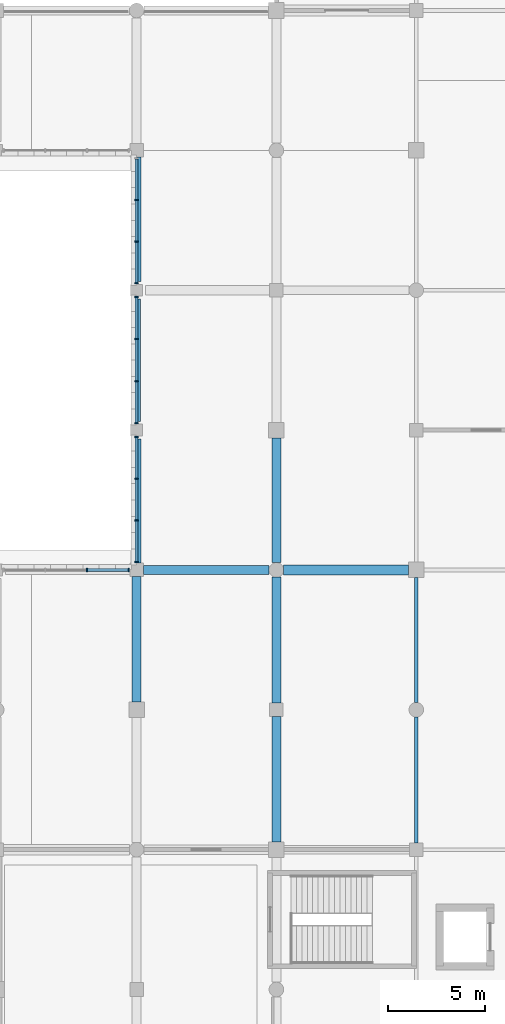
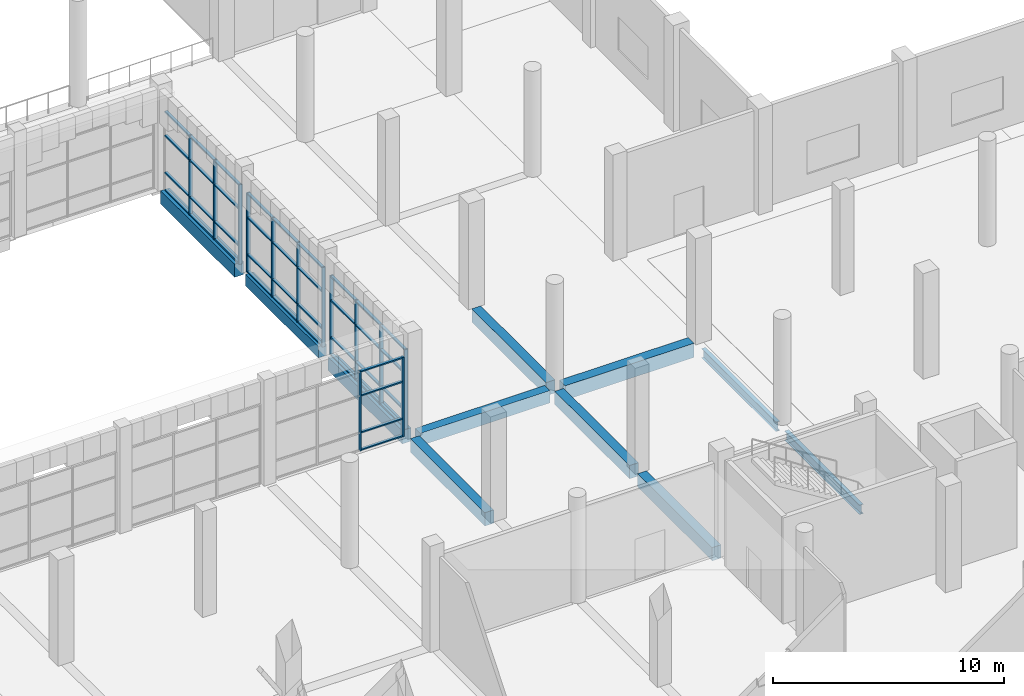
# One storey, part 19 of 80: 53 members, 11 beams, 4 elements without a shape of their own.
"""IFC4 building model written with IfcOpenShell, lengths in metres."""

from ifc_helpers import new_model, si_unit, direction, frame, origin, origin_2d, place, context, subcontext, project, spatial, rectangle, i_section, extrude, material, material_profile, profile_set, type_object, element, aggregate, save


model = new_model("IFC4")

# Units and contexts
model_context = context("Model", 3, precision=1e-05, world=origin(), true_north=direction((0.0, 1.0)))
body_context = subcontext(model_context, "Body", "Model", "MODEL_VIEW")
ifc_project = project(units=[si_unit("LENGTHUNIT", "METRE"), si_unit("AREAUNIT", "SQUARE_METRE"), si_unit("VOLUMEUNIT", "CUBIC_METRE"), si_unit("PLANEANGLEUNIT", "RADIAN"), si_unit("MASSUNIT", "GRAM", prefix="KILO")], contexts=[model_context])

# Site, building, storey
site_placement = place(None, origin())
site = spatial("IfcSite", under=ifc_project, at=site_placement, CompositionType="ELEMENT")
building_placement = place(site_placement, origin())
building = spatial("IfcBuilding", under=site, at=building_placement, Name="Sardonyx Promenade Sports Hall", CompositionType="ELEMENT")
storey_placement = place(building_placement, frame((0.0, 0.0, 5.60009765625)))
storey = spatial("IfcBuildingStorey", under=building, at=storey_placement, Name="L01", CompositionType="ELEMENT", Elevation=5.60009765625)

# Beams
ifc_material_1 = material(Name="Concrete C40/50", Category="concrete")
ifc_material_profile_1 = material_profile(ifc_material_1, rectangle(XDim=0.5, YDim=0.75, at=origin_2d()))
ifc_profile_set_1 = profile_set([ifc_material_profile_1], Name="Concrete C40/50")
beam_type_1 = type_object("IfcBeamType", Name="Bm_Girder_RC750", PredefinedType="BEAM", material=ifc_profile_set_1)
beam_1_placement = place(storey_placement, frame((101.175048828125, 43.199951171875, -0.375), z_axis=(1.0, 0.0, 0.0), x_axis=(0.0, 1.0, 0.0)))
element("IfcBeam", 1, at=beam_1_placement, inside=storey, type_object=beam_type_1, Name="Beam BG02 L01 #242", PredefinedType="BEAM", context=body_context, shape_type="SweptSolid", body=[
    extrude(rectangle(XDim=0.5, YDim=0.75, at=origin_2d()), origin(), (0.0, 0.0, 1.0), 6.425048828125),
])
ifc_material_2 = material(Name="Steel S355JR", Category="steel")
ifc_material_profile_2 = material_profile(ifc_material_2, i_section(OverallWidth=0.199951171875, OverallDepth=0.5, WebThickness=0.01025390625, FlangeThickness=0.01611328125, at=origin_2d()))
ifc_profile_set_2 = profile_set([ifc_material_profile_2], Name="Steel S355JR")
beam_type_2 = type_object("IfcBeamType", Name="Bm_Primary_IPE500", PredefinedType="BEAM", material=ifc_profile_set_2)
beam_2_placement = place(storey_placement, frame((108.0, 29.14990234375, -0.5400390625), z_axis=(0.0, 1.0, 0.0), x_axis=(-1.0, 0.0, 0.0)))
element("IfcBeam", 2, at=beam_2_placement, inside=storey, type_object=beam_type_2, Name="Beam SB06 L01 #382", PredefinedType="BEAM", context=body_context, shape_type="SweptSolid", body=[
    extrude(i_section(OverallWidth=0.199951171875, OverallDepth=0.5, WebThickness=0.01025390625, FlangeThickness=0.01611328125, at=origin_2d()), origin(), (0.0, 0.0, 1.0), 6.47509765625),
])
beam_3_placement = place(storey_placement, frame((108.0, 36.375, -0.5400390625), z_axis=(0.0, 1.0, 0.0), x_axis=(-1.0, 0.0, 0.0)))
element("IfcBeam", 3, at=beam_3_placement, inside=storey, type_object=beam_type_2, Name="Beam SB06 L01 #383", PredefinedType="BEAM", context=body_context, shape_type="SweptSolid", body=[
    extrude(i_section(OverallWidth=0.199951171875, OverallDepth=0.5, WebThickness=0.01025390625, FlangeThickness=0.01611328125, at=origin_2d()), origin(), (0.0, 0.0, 1.0), 6.425048828125),
])
ifc_material_3 = material(Name="Concrete C40/50", Category="concrete")
ifc_material_profile_3 = material_profile(ifc_material_3, rectangle(XDim=0.449951171875, YDim=0.64990234375, at=origin_2d()))
ifc_profile_set_3 = profile_set([ifc_material_profile_3], Name="Concrete C40/50")
beam_type_3 = type_object("IfcBeamType", Name="Bm_Primary_RC650", PredefinedType="BEAM", material=ifc_profile_set_3)
beam_4_placement = place(storey_placement, frame((93.949951171875, 43.199951171875, -0.3251953125), z_axis=(1.0, 0.0, 0.0), x_axis=(0.0, 1.0, 0.0)))
element("IfcBeam", 4, at=beam_4_placement, inside=storey, type_object=beam_type_3, Name="Beam BG05 L01 #241", PredefinedType="BEAM", context=body_context, shape_type="SweptSolid", body=[
    extrude(rectangle(XDim=0.449951171875, YDim=0.64990234375, at=origin_2d()), origin(), (0.0, 0.0, 1.0), 6.47509765625),
])
ifc_material_4 = material(Name="Concrete C40/50", Category="concrete")
ifc_material_profile_4 = material_profile(ifc_material_4, rectangle(XDim=0.449951171875, YDim=0.699951171875, at=origin_2d()))
ifc_profile_set_4 = profile_set([ifc_material_profile_4], Name="Concrete C40/50")
beam_type_4 = type_object("IfcBeamType", Name="Bm_Primary_RC700", PredefinedType="BEAM", material=ifc_profile_set_4)
beam_5_placement = place(storey_placement, frame((93.60009765625, 36.39990234375, -0.35009765625), z_axis=(0.0, 1.0, 0.0), x_axis=(-1.0, 0.0, 0.0)))
element("IfcBeam", 5, at=beam_5_placement, inside=storey, type_object=beam_type_4, Name="Beam BG01 L01 #363", PredefinedType="BEAM", context=body_context, shape_type="SweptSolid", body=[
    extrude(rectangle(XDim=0.449951171875, YDim=0.699951171875, at=origin_2d()), origin(), (0.0, 0.0, 1.0), 6.4501953125),
])
for number, where, z_axis, x_axis, name in (
    (6, (93.60009765625, 43.550048828125, -0.35009765625), (0.0, 1.0, 0.0), (-1.0, 0.0, 0.0), "Beam BG01 L01 #364"),
    (7, (93.60009765625, 58.050048828125, -0.35009765625), (0.0, 1.0, 0.0), (-1.0, 0.0, 0.0), "Beam BG01 L01 #366"),
):
    element("IfcBeam", number, at=place(storey_placement, frame(where, z_axis=z_axis, x_axis=x_axis)), inside=storey, type_object=beam_type_4, Name=name, PredefinedType="BEAM", context=body_context, shape_type="SweptSolid", body=[
        extrude(rectangle(XDim=0.449951171875, YDim=0.699951171875, at=origin_2d()), origin(), (0.0, 0.0, 1.0), 6.39990234375),
    ])
beam_6_placement = place(storey_placement, frame((100.800048828125, 29.199951171875, -0.35009765625), z_axis=(0.0, 1.0, 0.0), x_axis=(-1.0, 0.0, 0.0)))
element("IfcBeam", 8, at=beam_6_placement, inside=storey, type_object=beam_type_4, Name="Beam BG01 L01 #372", PredefinedType="BEAM", context=body_context, shape_type="SweptSolid", body=[
    extrude(rectangle(XDim=0.449951171875, YDim=0.699951171875, at=origin_2d()), origin(), (0.0, 0.0, 1.0), 6.449951171875),
])
beam_7_placement = place(storey_placement, frame((100.800048828125, 36.35009765625, -0.35009765625), z_axis=(0.0, 1.0, 0.0), x_axis=(-1.0, 0.0, 0.0)))
element("IfcBeam", 9, at=beam_7_placement, inside=storey, type_object=beam_type_4, Name="Beam BG01 L01 #373", PredefinedType="BEAM", context=body_context, shape_type="SweptSolid", body=[
    extrude(rectangle(XDim=0.449951171875, YDim=0.699951171875, at=origin_2d()), origin(), (0.0, 0.0, 1.0), 6.474853515625),
])
beam_8_placement = place(storey_placement, frame((100.800048828125, 43.574951171875, -0.35009765625), z_axis=(0.0, 1.0, 0.0), x_axis=(-1.0, 0.0, 0.0)))
element("IfcBeam", 10, at=beam_8_placement, inside=storey, type_object=beam_type_4, Name="Beam BG01 L01 #374", PredefinedType="BEAM", context=body_context, shape_type="SweptSolid", body=[
    extrude(rectangle(XDim=0.449951171875, YDim=0.699951171875, at=origin_2d()), origin(), (0.0, 0.0, 1.0), 6.425048828125),
])
ifc_material_5 = material(Name="Concrete C40/50", Category="concrete")
ifc_material_profile_5 = material_profile(ifc_material_5, rectangle(XDim=0.39990234375, YDim=0.60009765625, at=origin_2d()))
ifc_profile_set_5 = profile_set([ifc_material_profile_5], Name="Concrete C40/50")
beam_type_5 = type_object("IfcBeamType", Name="Bm_Spandrel_RC600", PredefinedType="SPANDREL", material=ifc_profile_set_5)
beam_9_placement = place(storey_placement, frame((93.60009765625, 50.85009765625, -0.300048828125), z_axis=(0.0, 1.0, 0.0), x_axis=(-1.0, 0.0, 0.0)))
element("IfcBeam", 11, at=beam_9_placement, inside=storey, type_object=beam_type_5, Name="Beam SPB1 L01 #365", PredefinedType="SPANDREL", context=body_context, shape_type="SweptSolid", body=[
    extrude(rectangle(XDim=0.39990234375, YDim=0.60009765625, at=origin_2d()), origin(), (0.0, 0.0, 1.0), 6.2998046875),
])

# Curtain wall, members
ifc_material_6 = material(Name="Aluminium 6063-T6", Category="aluminium")
curtain_wall_type = type_object("IfcCurtainWallType", Name="CW_Riwaq_L01_640", PredefinedType="USERDEFINED", material=ifc_material_6)
curtain_wall_1_placement = place(storey_placement, origin())
curtain_wall_1 = element("IfcCurtainWall", 12, at=curtain_wall_1_placement, inside=storey, type_object=curtain_wall_type, Name="Curtain wall CW18 cw:L01:138", ObjectType="CURTAIN WALL", PredefinedType="USERDEFINED")
ifc_material_7 = material(Name="Aluminium 6063-T6", Category="aluminium")
ifc_material_profile_6 = material_profile(ifc_material_7, rectangle(XDim=0.06494140625, YDim=0.175048828125, at=origin_2d()))
ifc_profile_set_6 = profile_set([ifc_material_profile_6], Name="Aluminium 6063-T6")
member_type_1 = type_object("IfcMemberType", Name="CW_Mull_175", PredefinedType="MULLION", material=ifc_profile_set_6)
member_1_placement = place(storey_placement, frame((91.049072265625, 43.199951171875, 0.0), z_axis=(0.0, 0.0, 1.0), x_axis=(1.0, 0.0, 0.0)))
member_1 = element("IfcMember", 13, at=member_1_placement, type_object=member_type_1, Name="Mullion CM02 cw:L01:138 #3", PredefinedType="MULLION", context=body_context, shape_type="SweptSolid", body=[
    extrude(rectangle(XDim=0.06494140625, YDim=0.175048828125, at=origin_2d()), origin(), (0.0, 0.0, 1.0), 4.199951171875),
])
member_2_placement = place(storey_placement, frame((93.197509765625, 43.199951171875, 0.0), z_axis=(0.0, 0.0, 1.0), x_axis=(1.0, 0.0, 0.0)))
member_2 = element("IfcMember", 14, at=member_2_placement, type_object=member_type_1, Name="Mullion CM02 cw:L01:138 #4", PredefinedType="MULLION", context=body_context, shape_type="SweptSolid", body=[
    extrude(rectangle(XDim=0.06494140625, YDim=0.175048828125, at=origin_2d()), origin(), (0.0, 0.0, 1.0), 4.199951171875),
])

curtain_wall_2_placement = place(storey_placement, origin())
curtain_wall_2 = element("IfcCurtainWall", 15, at=curtain_wall_2_placement, inside=storey, type_object=curtain_wall_type, Name="Curtain wall CW18 cw:L01:141", ObjectType="CURTAIN WALL", PredefinedType="USERDEFINED")
member_3_placement = place(storey_placement, frame((93.60009765625, 43.6025390625, 0.0), z_axis=(0.0, 0.0, 1.0), x_axis=(0.0, 1.0, 0.0)))
member_3 = element("IfcMember", 16, at=member_3_placement, type_object=member_type_1, Name="Mullion CM02 cw:L01:141 #1", PredefinedType="MULLION", context=body_context, shape_type="SweptSolid", body=[
    extrude(rectangle(XDim=0.06494140625, YDim=0.175048828125, at=origin_2d()), origin(), (0.0, 0.0, 1.0), 4.199951171875),
])
member_4_placement = place(storey_placement, frame((93.60009765625, 45.750732421875, 0.0), z_axis=(0.0, 0.0, 1.0), x_axis=(0.0, 1.0, 0.0)))
member_4 = element("IfcMember", 17, at=member_4_placement, type_object=member_type_1, Name="Mullion CM02 cw:L01:141 #2", PredefinedType="MULLION", context=body_context, shape_type="SweptSolid", body=[
    extrude(rectangle(XDim=0.06494140625, YDim=0.175048828125, at=origin_2d()), origin(), (0.0, 0.0, 1.0), 4.199951171875),
])
member_5_placement = place(storey_placement, frame((93.60009765625, 47.899169921875, 0.0), z_axis=(0.0, 0.0, 1.0), x_axis=(0.0, 1.0, 0.0)))
member_5 = element("IfcMember", 18, at=member_5_placement, type_object=member_type_1, Name="Mullion CM02 cw:L01:141 #3", PredefinedType="MULLION", context=body_context, shape_type="SweptSolid", body=[
    extrude(rectangle(XDim=0.06494140625, YDim=0.175048828125, at=origin_2d()), origin(), (0.0, 0.0, 1.0), 4.199951171875),
])
member_6_placement = place(storey_placement, frame((93.60009765625, 50.047607421875, 0.0), z_axis=(0.0, 0.0, 1.0), x_axis=(0.0, 1.0, 0.0)))
member_6 = element("IfcMember", 19, at=member_6_placement, type_object=member_type_1, Name="Mullion CM02 cw:L01:141 #4", PredefinedType="MULLION", context=body_context, shape_type="SweptSolid", body=[
    extrude(rectangle(XDim=0.06494140625, YDim=0.175048828125, at=origin_2d()), origin(), (0.0, 0.0, 1.0), 4.199951171875),
])

curtain_wall_3_placement = place(storey_placement, origin())
curtain_wall_3 = element("IfcCurtainWall", 20, at=curtain_wall_3_placement, inside=storey, type_object=curtain_wall_type, Name="Curtain wall CW18 cw:L01:143", ObjectType="CURTAIN WALL", PredefinedType="USERDEFINED")
member_7_placement = place(storey_placement, frame((93.60009765625, 50.75244140625, 0.0), z_axis=(0.0, 0.0, 1.0), x_axis=(0.0, 1.0, 0.0)))
member_7 = element("IfcMember", 21, at=member_7_placement, type_object=member_type_1, Name="Mullion CM02 cw:L01:143 #1", PredefinedType="MULLION", context=body_context, shape_type="SweptSolid", body=[
    extrude(rectangle(XDim=0.06494140625, YDim=0.175048828125, at=origin_2d()), origin(), (0.0, 0.0, 1.0), 4.199951171875),
])
member_8_placement = place(storey_placement, frame((93.60009765625, 52.91748046875, 0.0), z_axis=(0.0, 0.0, 1.0), x_axis=(0.0, 1.0, 0.0)))
member_8 = element("IfcMember", 22, at=member_8_placement, type_object=member_type_1, Name="Mullion CM02 cw:L01:143 #2", PredefinedType="MULLION", context=body_context, shape_type="SweptSolid", body=[
    extrude(rectangle(XDim=0.06494140625, YDim=0.175048828125, at=origin_2d()), origin(), (0.0, 0.0, 1.0), 4.199951171875),
])
member_9_placement = place(storey_placement, frame((93.60009765625, 55.08251953125, 0.0), z_axis=(0.0, 0.0, 1.0), x_axis=(0.0, 1.0, 0.0)))
member_9 = element("IfcMember", 23, at=member_9_placement, type_object=member_type_1, Name="Mullion CM02 cw:L01:143 #3", PredefinedType="MULLION", context=body_context, shape_type="SweptSolid", body=[
    extrude(rectangle(XDim=0.06494140625, YDim=0.175048828125, at=origin_2d()), origin(), (0.0, 0.0, 1.0), 4.199951171875),
])
member_10_placement = place(storey_placement, frame((93.60009765625, 57.24755859375, 0.0), z_axis=(0.0, 0.0, 1.0), x_axis=(0.0, 1.0, 0.0)))
member_10 = element("IfcMember", 24, at=member_10_placement, type_object=member_type_1, Name="Mullion CM02 cw:L01:143 #4", PredefinedType="MULLION", context=body_context, shape_type="SweptSolid", body=[
    extrude(rectangle(XDim=0.06494140625, YDim=0.175048828125, at=origin_2d()), origin(), (0.0, 0.0, 1.0), 4.199951171875),
])

curtain_wall_4_placement = place(storey_placement, origin())
curtain_wall_4 = element("IfcCurtainWall", 25, at=curtain_wall_4_placement, inside=storey, type_object=curtain_wall_type, Name="Curtain wall CW18 cw:L01:145", ObjectType="CURTAIN WALL", PredefinedType="USERDEFINED")
member_11_placement = place(storey_placement, frame((93.60009765625, 57.952392578125, 0.0), z_axis=(0.0, 0.0, 1.0), x_axis=(0.0, 1.0, 0.0)))
member_11 = element("IfcMember", 26, at=member_11_placement, type_object=member_type_1, Name="Mullion CM02 cw:L01:145 #1", PredefinedType="MULLION", context=body_context, shape_type="SweptSolid", body=[
    extrude(rectangle(XDim=0.06494140625, YDim=0.175048828125, at=origin_2d()), origin(), (0.0, 0.0, 1.0), 4.199951171875),
])
member_12_placement = place(storey_placement, frame((93.60009765625, 60.100830078125, 0.0), z_axis=(0.0, 0.0, 1.0), x_axis=(0.0, 1.0, 0.0)))
member_12 = element("IfcMember", 27, at=member_12_placement, type_object=member_type_1, Name="Mullion CM02 cw:L01:145 #2", PredefinedType="MULLION", context=body_context, shape_type="SweptSolid", body=[
    extrude(rectangle(XDim=0.06494140625, YDim=0.175048828125, at=origin_2d()), origin(), (0.0, 0.0, 1.0), 4.199951171875),
])
member_13_placement = place(storey_placement, frame((93.60009765625, 62.249267578125, 0.0), z_axis=(0.0, 0.0, 1.0), x_axis=(0.0, 1.0, 0.0)))
member_13 = element("IfcMember", 28, at=member_13_placement, type_object=member_type_1, Name="Mullion CM02 cw:L01:145 #3", PredefinedType="MULLION", context=body_context, shape_type="SweptSolid", body=[
    extrude(rectangle(XDim=0.06494140625, YDim=0.175048828125, at=origin_2d()), origin(), (0.0, 0.0, 1.0), 4.199951171875),
])

# Member
ifc_material_8 = material(Name="Aluminium 6063-T6", Category="aluminium")
ifc_material_profile_7 = material_profile(ifc_material_8, rectangle(XDim=0.06494140625, YDim=0.139892578125, at=origin_2d()))
ifc_profile_set_7 = profile_set([ifc_material_profile_7], Name="Aluminium 6063-T6")
member_type_2 = type_object("IfcMemberType", Name="CW_Tran_140", PredefinedType="USERDEFINED", material=ifc_profile_set_7)
member_14_placement = place(storey_placement, frame((91.081787109375, 43.199951171875, 0.032470703125), z_axis=(1.0, 0.0, 0.0), x_axis=(0.0, 0.0, 1.0)))
member_14 = element("IfcMember", 29, at=member_14_placement, type_object=member_type_2, Name="Transom CT02 cw:L01:138 #9", ObjectType="TRANSOM", PredefinedType="USERDEFINED", context=body_context, shape_type="SweptSolid", body=[
    extrude(rectangle(XDim=0.06494140625, YDim=0.139892578125, at=origin_2d()), origin(), (0.0, 0.0, 1.0), 2.083251953125),
])

member_15_placement = place(storey_placement, frame((91.081787109375, 43.199951171875, 0.949951171875), z_axis=(1.0, 0.0, 0.0), x_axis=(0.0, 0.0, 1.0)))
member_15 = element("IfcMember", 30, at=member_15_placement, type_object=member_type_2, Name="Transom CT02 cw:L01:138 #10", ObjectType="TRANSOM", PredefinedType="USERDEFINED", context=body_context, shape_type="SweptSolid", body=[
    extrude(rectangle(XDim=0.06494140625, YDim=0.139892578125, at=origin_2d()), origin(), (0.0, 0.0, 1.0), 2.083251953125),
])

member_16_placement = place(storey_placement, frame((91.081787109375, 43.199951171875, 2.89990234375), z_axis=(1.0, 0.0, 0.0), x_axis=(0.0, 0.0, 1.0)))
member_16 = element("IfcMember", 31, at=member_16_placement, type_object=member_type_2, Name="Transom CT02 cw:L01:138 #11", ObjectType="TRANSOM", PredefinedType="USERDEFINED", context=body_context, shape_type="SweptSolid", body=[
    extrude(rectangle(XDim=0.06494140625, YDim=0.139892578125, at=origin_2d()), origin(), (0.0, 0.0, 1.0), 2.083251953125),
])

member_17_placement = place(storey_placement, frame((91.081787109375, 43.199951171875, 4.16748046875), z_axis=(1.0, 0.0, 0.0), x_axis=(0.0, 0.0, 1.0)))
member_17 = element("IfcMember", 32, at=member_17_placement, type_object=member_type_2, Name="Transom CT02 cw:L01:138 #12", ObjectType="TRANSOM", PredefinedType="USERDEFINED", context=body_context, shape_type="SweptSolid", body=[
    extrude(rectangle(XDim=0.06494140625, YDim=0.139892578125, at=origin_2d()), origin(), (0.0, 0.0, 1.0), 2.083251953125),
])

aggregate(curtain_wall_1, [member_1, member_2, member_14, member_15, member_16, member_17])

member_18_placement = place(storey_placement, frame((93.60009765625, 43.635009765625, 0.032470703125), z_axis=(0.0, 1.0, 0.0), x_axis=(0.0, 0.0, 1.0)))
member_18 = element("IfcMember", 33, at=member_18_placement, type_object=member_type_2, Name="Transom CT02 cw:L01:141 #1", ObjectType="TRANSOM", PredefinedType="USERDEFINED", context=body_context, shape_type="SweptSolid", body=[
    extrude(rectangle(XDim=0.06494140625, YDim=0.139892578125, at=origin_2d()), origin(), (0.0, 0.0, 1.0), 2.083251953125),
])

member_19_placement = place(storey_placement, frame((93.60009765625, 43.635009765625, 0.949951171875), z_axis=(0.0, 1.0, 0.0), x_axis=(0.0, 0.0, 1.0)))
member_19 = element("IfcMember", 34, at=member_19_placement, type_object=member_type_2, Name="Transom CT02 cw:L01:141 #2", ObjectType="TRANSOM", PredefinedType="USERDEFINED", context=body_context, shape_type="SweptSolid", body=[
    extrude(rectangle(XDim=0.06494140625, YDim=0.139892578125, at=origin_2d()), origin(), (0.0, 0.0, 1.0), 2.083251953125),
])

member_20_placement = place(storey_placement, frame((93.60009765625, 43.635009765625, 2.89990234375), z_axis=(0.0, 1.0, 0.0), x_axis=(0.0, 0.0, 1.0)))
member_20 = element("IfcMember", 35, at=member_20_placement, type_object=member_type_2, Name="Transom CT02 cw:L01:141 #3", ObjectType="TRANSOM", PredefinedType="USERDEFINED", context=body_context, shape_type="SweptSolid", body=[
    extrude(rectangle(XDim=0.06494140625, YDim=0.139892578125, at=origin_2d()), origin(), (0.0, 0.0, 1.0), 2.083251953125),
])

member_21_placement = place(storey_placement, frame((93.60009765625, 43.635009765625, 4.16748046875), z_axis=(0.0, 1.0, 0.0), x_axis=(0.0, 0.0, 1.0)))
member_21 = element("IfcMember", 36, at=member_21_placement, type_object=member_type_2, Name="Transom CT02 cw:L01:141 #4", ObjectType="TRANSOM", PredefinedType="USERDEFINED", context=body_context, shape_type="SweptSolid", body=[
    extrude(rectangle(XDim=0.06494140625, YDim=0.139892578125, at=origin_2d()), origin(), (0.0, 0.0, 1.0), 2.083251953125),
])

member_22_placement = place(storey_placement, frame((93.60009765625, 45.783447265625, 0.032470703125), z_axis=(0.0, 1.0, 0.0), x_axis=(0.0, 0.0, 1.0)))
member_22 = element("IfcMember", 37, at=member_22_placement, type_object=member_type_2, Name="Transom CT02 cw:L01:141 #5", ObjectType="TRANSOM", PredefinedType="USERDEFINED", context=body_context, shape_type="SweptSolid", body=[
    extrude(rectangle(XDim=0.06494140625, YDim=0.139892578125, at=origin_2d()), origin(), (0.0, 0.0, 1.0), 2.083251953125),
])

member_23_placement = place(storey_placement, frame((93.60009765625, 45.783447265625, 0.949951171875), z_axis=(0.0, 1.0, 0.0), x_axis=(0.0, 0.0, 1.0)))
member_23 = element("IfcMember", 38, at=member_23_placement, type_object=member_type_2, Name="Transom CT02 cw:L01:141 #6", ObjectType="TRANSOM", PredefinedType="USERDEFINED", context=body_context, shape_type="SweptSolid", body=[
    extrude(rectangle(XDim=0.06494140625, YDim=0.139892578125, at=origin_2d()), origin(), (0.0, 0.0, 1.0), 2.083251953125),
])

member_24_placement = place(storey_placement, frame((93.60009765625, 45.783447265625, 2.89990234375), z_axis=(0.0, 1.0, 0.0), x_axis=(0.0, 0.0, 1.0)))
member_24 = element("IfcMember", 39, at=member_24_placement, type_object=member_type_2, Name="Transom CT02 cw:L01:141 #7", ObjectType="TRANSOM", PredefinedType="USERDEFINED", context=body_context, shape_type="SweptSolid", body=[
    extrude(rectangle(XDim=0.06494140625, YDim=0.139892578125, at=origin_2d()), origin(), (0.0, 0.0, 1.0), 2.083251953125),
])

member_25_placement = place(storey_placement, frame((93.60009765625, 45.783447265625, 4.16748046875), z_axis=(0.0, 1.0, 0.0), x_axis=(0.0, 0.0, 1.0)))
member_25 = element("IfcMember", 40, at=member_25_placement, type_object=member_type_2, Name="Transom CT02 cw:L01:141 #8", ObjectType="TRANSOM", PredefinedType="USERDEFINED", context=body_context, shape_type="SweptSolid", body=[
    extrude(rectangle(XDim=0.06494140625, YDim=0.139892578125, at=origin_2d()), origin(), (0.0, 0.0, 1.0), 2.083251953125),
])

member_26_placement = place(storey_placement, frame((93.60009765625, 47.931640625, 0.032470703125), z_axis=(0.0, 1.0, 0.0), x_axis=(0.0, 0.0, 1.0)))
member_26 = element("IfcMember", 41, at=member_26_placement, type_object=member_type_2, Name="Transom CT02 cw:L01:141 #9", ObjectType="TRANSOM", PredefinedType="USERDEFINED", context=body_context, shape_type="SweptSolid", body=[
    extrude(rectangle(XDim=0.06494140625, YDim=0.139892578125, at=origin_2d()), origin(), (0.0, 0.0, 1.0), 2.083251953125),
])

member_27_placement = place(storey_placement, frame((93.60009765625, 47.931640625, 0.949951171875), z_axis=(0.0, 1.0, 0.0), x_axis=(0.0, 0.0, 1.0)))
member_27 = element("IfcMember", 42, at=member_27_placement, type_object=member_type_2, Name="Transom CT02 cw:L01:141 #10", ObjectType="TRANSOM", PredefinedType="USERDEFINED", context=body_context, shape_type="SweptSolid", body=[
    extrude(rectangle(XDim=0.06494140625, YDim=0.139892578125, at=origin_2d()), origin(), (0.0, 0.0, 1.0), 2.083251953125),
])

member_28_placement = place(storey_placement, frame((93.60009765625, 47.931640625, 2.89990234375), z_axis=(0.0, 1.0, 0.0), x_axis=(0.0, 0.0, 1.0)))
member_28 = element("IfcMember", 43, at=member_28_placement, type_object=member_type_2, Name="Transom CT02 cw:L01:141 #11", ObjectType="TRANSOM", PredefinedType="USERDEFINED", context=body_context, shape_type="SweptSolid", body=[
    extrude(rectangle(XDim=0.06494140625, YDim=0.139892578125, at=origin_2d()), origin(), (0.0, 0.0, 1.0), 2.083251953125),
])

member_29_placement = place(storey_placement, frame((93.60009765625, 47.931640625, 4.16748046875), z_axis=(0.0, 1.0, 0.0), x_axis=(0.0, 0.0, 1.0)))
member_29 = element("IfcMember", 44, at=member_29_placement, type_object=member_type_2, Name="Transom CT02 cw:L01:141 #12", ObjectType="TRANSOM", PredefinedType="USERDEFINED", context=body_context, shape_type="SweptSolid", body=[
    extrude(rectangle(XDim=0.06494140625, YDim=0.139892578125, at=origin_2d()), origin(), (0.0, 0.0, 1.0), 2.083251953125),
])

aggregate(curtain_wall_2, [member_3, member_4, member_5, member_6, member_18, member_19, member_20, member_21, member_22, member_23, member_24, member_25, member_26, member_27, member_28, member_29])

member_30_placement = place(storey_placement, frame((93.60009765625, 50.784912109375, 0.032470703125), z_axis=(0.0, 1.0, 0.0), x_axis=(0.0, 0.0, 1.0)))
member_30 = element("IfcMember", 45, at=member_30_placement, type_object=member_type_2, Name="Transom CT02 cw:L01:143 #1", ObjectType="TRANSOM", PredefinedType="USERDEFINED", context=body_context, shape_type="SweptSolid", body=[
    extrude(rectangle(XDim=0.06494140625, YDim=0.139892578125, at=origin_2d()), origin(), (0.0, 0.0, 1.0), 2.10009765625),
])

member_31_placement = place(storey_placement, frame((93.60009765625, 50.784912109375, 0.949951171875), z_axis=(0.0, 1.0, 0.0), x_axis=(0.0, 0.0, 1.0)))
member_31 = element("IfcMember", 46, at=member_31_placement, type_object=member_type_2, Name="Transom CT02 cw:L01:143 #2", ObjectType="TRANSOM", PredefinedType="USERDEFINED", context=body_context, shape_type="SweptSolid", body=[
    extrude(rectangle(XDim=0.06494140625, YDim=0.139892578125, at=origin_2d()), origin(), (0.0, 0.0, 1.0), 2.10009765625),
])

member_32_placement = place(storey_placement, frame((93.60009765625, 50.784912109375, 2.89990234375), z_axis=(0.0, 1.0, 0.0), x_axis=(0.0, 0.0, 1.0)))
member_32 = element("IfcMember", 47, at=member_32_placement, type_object=member_type_2, Name="Transom CT02 cw:L01:143 #3", ObjectType="TRANSOM", PredefinedType="USERDEFINED", context=body_context, shape_type="SweptSolid", body=[
    extrude(rectangle(XDim=0.06494140625, YDim=0.139892578125, at=origin_2d()), origin(), (0.0, 0.0, 1.0), 2.10009765625),
])

member_33_placement = place(storey_placement, frame((93.60009765625, 50.784912109375, 4.16748046875), z_axis=(0.0, 1.0, 0.0), x_axis=(0.0, 0.0, 1.0)))
member_33 = element("IfcMember", 48, at=member_33_placement, type_object=member_type_2, Name="Transom CT02 cw:L01:143 #4", ObjectType="TRANSOM", PredefinedType="USERDEFINED", context=body_context, shape_type="SweptSolid", body=[
    extrude(rectangle(XDim=0.06494140625, YDim=0.139892578125, at=origin_2d()), origin(), (0.0, 0.0, 1.0), 2.10009765625),
])

member_34_placement = place(storey_placement, frame((93.60009765625, 52.949951171875, 0.032470703125), z_axis=(0.0, 1.0, 0.0), x_axis=(0.0, 0.0, 1.0)))
member_34 = element("IfcMember", 49, at=member_34_placement, type_object=member_type_2, Name="Transom CT02 cw:L01:143 #5", ObjectType="TRANSOM", PredefinedType="USERDEFINED", context=body_context, shape_type="SweptSolid", body=[
    extrude(rectangle(XDim=0.06494140625, YDim=0.139892578125, at=origin_2d()), origin(), (0.0, 0.0, 1.0), 2.10009765625),
])

member_35_placement = place(storey_placement, frame((93.60009765625, 52.949951171875, 0.949951171875), z_axis=(0.0, 1.0, 0.0), x_axis=(0.0, 0.0, 1.0)))
member_35 = element("IfcMember", 50, at=member_35_placement, type_object=member_type_2, Name="Transom CT02 cw:L01:143 #6", ObjectType="TRANSOM", PredefinedType="USERDEFINED", context=body_context, shape_type="SweptSolid", body=[
    extrude(rectangle(XDim=0.06494140625, YDim=0.139892578125, at=origin_2d()), origin(), (0.0, 0.0, 1.0), 2.10009765625),
])

member_36_placement = place(storey_placement, frame((93.60009765625, 52.949951171875, 2.89990234375), z_axis=(0.0, 1.0, 0.0), x_axis=(0.0, 0.0, 1.0)))
member_36 = element("IfcMember", 51, at=member_36_placement, type_object=member_type_2, Name="Transom CT02 cw:L01:143 #7", ObjectType="TRANSOM", PredefinedType="USERDEFINED", context=body_context, shape_type="SweptSolid", body=[
    extrude(rectangle(XDim=0.06494140625, YDim=0.139892578125, at=origin_2d()), origin(), (0.0, 0.0, 1.0), 2.10009765625),
])

member_37_placement = place(storey_placement, frame((93.60009765625, 52.949951171875, 4.16748046875), z_axis=(0.0, 1.0, 0.0), x_axis=(0.0, 0.0, 1.0)))
member_37 = element("IfcMember", 52, at=member_37_placement, type_object=member_type_2, Name="Transom CT02 cw:L01:143 #8", ObjectType="TRANSOM", PredefinedType="USERDEFINED", context=body_context, shape_type="SweptSolid", body=[
    extrude(rectangle(XDim=0.06494140625, YDim=0.139892578125, at=origin_2d()), origin(), (0.0, 0.0, 1.0), 2.10009765625),
])

member_38_placement = place(storey_placement, frame((93.60009765625, 55.114990234375, 0.032470703125), z_axis=(0.0, 1.0, 0.0), x_axis=(0.0, 0.0, 1.0)))
member_38 = element("IfcMember", 53, at=member_38_placement, type_object=member_type_2, Name="Transom CT02 cw:L01:143 #9", ObjectType="TRANSOM", PredefinedType="USERDEFINED", context=body_context, shape_type="SweptSolid", body=[
    extrude(rectangle(XDim=0.06494140625, YDim=0.139892578125, at=origin_2d()), origin(), (0.0, 0.0, 1.0), 2.10009765625),
])

member_39_placement = place(storey_placement, frame((93.60009765625, 55.114990234375, 0.949951171875), z_axis=(0.0, 1.0, 0.0), x_axis=(0.0, 0.0, 1.0)))
member_39 = element("IfcMember", 54, at=member_39_placement, type_object=member_type_2, Name="Transom CT02 cw:L01:143 #10", ObjectType="TRANSOM", PredefinedType="USERDEFINED", context=body_context, shape_type="SweptSolid", body=[
    extrude(rectangle(XDim=0.06494140625, YDim=0.139892578125, at=origin_2d()), origin(), (0.0, 0.0, 1.0), 2.10009765625),
])

member_40_placement = place(storey_placement, frame((93.60009765625, 55.114990234375, 2.89990234375), z_axis=(0.0, 1.0, 0.0), x_axis=(0.0, 0.0, 1.0)))
member_40 = element("IfcMember", 55, at=member_40_placement, type_object=member_type_2, Name="Transom CT02 cw:L01:143 #11", ObjectType="TRANSOM", PredefinedType="USERDEFINED", context=body_context, shape_type="SweptSolid", body=[
    extrude(rectangle(XDim=0.06494140625, YDim=0.139892578125, at=origin_2d()), origin(), (0.0, 0.0, 1.0), 2.10009765625),
])

member_41_placement = place(storey_placement, frame((93.60009765625, 55.114990234375, 4.16748046875), z_axis=(0.0, 1.0, 0.0), x_axis=(0.0, 0.0, 1.0)))
member_41 = element("IfcMember", 56, at=member_41_placement, type_object=member_type_2, Name="Transom CT02 cw:L01:143 #12", ObjectType="TRANSOM", PredefinedType="USERDEFINED", context=body_context, shape_type="SweptSolid", body=[
    extrude(rectangle(XDim=0.06494140625, YDim=0.139892578125, at=origin_2d()), origin(), (0.0, 0.0, 1.0), 2.10009765625),
])

aggregate(curtain_wall_3, [member_7, member_8, member_9, member_10, member_30, member_31, member_32, member_33, member_34, member_35, member_36, member_37, member_38, member_39, member_40, member_41])

member_42_placement = place(storey_placement, frame((93.60009765625, 57.985107421875, 0.032470703125), z_axis=(0.0, 1.0, 0.0), x_axis=(0.0, 0.0, 1.0)))
member_42 = element("IfcMember", 57, at=member_42_placement, type_object=member_type_2, Name="Transom CT02 cw:L01:145 #1", ObjectType="TRANSOM", PredefinedType="USERDEFINED", context=body_context, shape_type="SweptSolid", body=[
    extrude(rectangle(XDim=0.06494140625, YDim=0.139892578125, at=origin_2d()), origin(), (0.0, 0.0, 1.0), 2.083251953125),
])

member_43_placement = place(storey_placement, frame((93.60009765625, 57.985107421875, 0.949951171875), z_axis=(0.0, 1.0, 0.0), x_axis=(0.0, 0.0, 1.0)))
member_43 = element("IfcMember", 58, at=member_43_placement, type_object=member_type_2, Name="Transom CT02 cw:L01:145 #2", ObjectType="TRANSOM", PredefinedType="USERDEFINED", context=body_context, shape_type="SweptSolid", body=[
    extrude(rectangle(XDim=0.06494140625, YDim=0.139892578125, at=origin_2d()), origin(), (0.0, 0.0, 1.0), 2.083251953125),
])

member_44_placement = place(storey_placement, frame((93.60009765625, 57.985107421875, 2.89990234375), z_axis=(0.0, 1.0, 0.0), x_axis=(0.0, 0.0, 1.0)))
member_44 = element("IfcMember", 59, at=member_44_placement, type_object=member_type_2, Name="Transom CT02 cw:L01:145 #3", ObjectType="TRANSOM", PredefinedType="USERDEFINED", context=body_context, shape_type="SweptSolid", body=[
    extrude(rectangle(XDim=0.06494140625, YDim=0.139892578125, at=origin_2d()), origin(), (0.0, 0.0, 1.0), 2.083251953125),
])

member_45_placement = place(storey_placement, frame((93.60009765625, 57.985107421875, 4.16748046875), z_axis=(0.0, 1.0, 0.0), x_axis=(0.0, 0.0, 1.0)))
member_45 = element("IfcMember", 60, at=member_45_placement, type_object=member_type_2, Name="Transom CT02 cw:L01:145 #4", ObjectType="TRANSOM", PredefinedType="USERDEFINED", context=body_context, shape_type="SweptSolid", body=[
    extrude(rectangle(XDim=0.06494140625, YDim=0.139892578125, at=origin_2d()), origin(), (0.0, 0.0, 1.0), 2.083251953125),
])

member_46_placement = place(storey_placement, frame((93.60009765625, 60.13330078125, 0.032470703125), z_axis=(0.0, 1.0, 0.0), x_axis=(0.0, 0.0, 1.0)))
member_46 = element("IfcMember", 61, at=member_46_placement, type_object=member_type_2, Name="Transom CT02 cw:L01:145 #5", ObjectType="TRANSOM", PredefinedType="USERDEFINED", context=body_context, shape_type="SweptSolid", body=[
    extrude(rectangle(XDim=0.06494140625, YDim=0.139892578125, at=origin_2d()), origin(), (0.0, 0.0, 1.0), 2.083251953125),
])

member_47_placement = place(storey_placement, frame((93.60009765625, 60.13330078125, 0.949951171875), z_axis=(0.0, 1.0, 0.0), x_axis=(0.0, 0.0, 1.0)))
member_47 = element("IfcMember", 62, at=member_47_placement, type_object=member_type_2, Name="Transom CT02 cw:L01:145 #6", ObjectType="TRANSOM", PredefinedType="USERDEFINED", context=body_context, shape_type="SweptSolid", body=[
    extrude(rectangle(XDim=0.06494140625, YDim=0.139892578125, at=origin_2d()), origin(), (0.0, 0.0, 1.0), 2.083251953125),
])

member_48_placement = place(storey_placement, frame((93.60009765625, 60.13330078125, 2.89990234375), z_axis=(0.0, 1.0, 0.0), x_axis=(0.0, 0.0, 1.0)))
member_48 = element("IfcMember", 63, at=member_48_placement, type_object=member_type_2, Name="Transom CT02 cw:L01:145 #7", ObjectType="TRANSOM", PredefinedType="USERDEFINED", context=body_context, shape_type="SweptSolid", body=[
    extrude(rectangle(XDim=0.06494140625, YDim=0.139892578125, at=origin_2d()), origin(), (0.0, 0.0, 1.0), 2.083251953125),
])

member_49_placement = place(storey_placement, frame((93.60009765625, 60.13330078125, 4.16748046875), z_axis=(0.0, 1.0, 0.0), x_axis=(0.0, 0.0, 1.0)))
member_49 = element("IfcMember", 64, at=member_49_placement, type_object=member_type_2, Name="Transom CT02 cw:L01:145 #8", ObjectType="TRANSOM", PredefinedType="USERDEFINED", context=body_context, shape_type="SweptSolid", body=[
    extrude(rectangle(XDim=0.06494140625, YDim=0.139892578125, at=origin_2d()), origin(), (0.0, 0.0, 1.0), 2.083251953125),
])

member_50_placement = place(storey_placement, frame((93.60009765625, 62.28173828125, 0.032470703125), z_axis=(0.0, 1.0, 0.0), x_axis=(0.0, 0.0, 1.0)))
member_50 = element("IfcMember", 65, at=member_50_placement, type_object=member_type_2, Name="Transom CT02 cw:L01:145 #9", ObjectType="TRANSOM", PredefinedType="USERDEFINED", context=body_context, shape_type="SweptSolid", body=[
    extrude(rectangle(XDim=0.06494140625, YDim=0.139892578125, at=origin_2d()), origin(), (0.0, 0.0, 1.0), 2.083251953125),
])

member_51_placement = place(storey_placement, frame((93.60009765625, 62.28173828125, 0.949951171875), z_axis=(0.0, 1.0, 0.0), x_axis=(0.0, 0.0, 1.0)))
member_51 = element("IfcMember", 66, at=member_51_placement, type_object=member_type_2, Name="Transom CT02 cw:L01:145 #10", ObjectType="TRANSOM", PredefinedType="USERDEFINED", context=body_context, shape_type="SweptSolid", body=[
    extrude(rectangle(XDim=0.06494140625, YDim=0.139892578125, at=origin_2d()), origin(), (0.0, 0.0, 1.0), 2.083251953125),
])

member_52_placement = place(storey_placement, frame((93.60009765625, 62.28173828125, 2.89990234375), z_axis=(0.0, 1.0, 0.0), x_axis=(0.0, 0.0, 1.0)))
member_52 = element("IfcMember", 67, at=member_52_placement, type_object=member_type_2, Name="Transom CT02 cw:L01:145 #11", ObjectType="TRANSOM", PredefinedType="USERDEFINED", context=body_context, shape_type="SweptSolid", body=[
    extrude(rectangle(XDim=0.06494140625, YDim=0.139892578125, at=origin_2d()), origin(), (0.0, 0.0, 1.0), 2.083251953125),
])

member_53_placement = place(storey_placement, frame((93.60009765625, 62.28173828125, 4.16748046875), z_axis=(0.0, 1.0, 0.0), x_axis=(0.0, 0.0, 1.0)))
member_53 = element("IfcMember", 68, at=member_53_placement, type_object=member_type_2, Name="Transom CT02 cw:L01:145 #12", ObjectType="TRANSOM", PredefinedType="USERDEFINED", context=body_context, shape_type="SweptSolid", body=[
    extrude(rectangle(XDim=0.06494140625, YDim=0.139892578125, at=origin_2d()), origin(), (0.0, 0.0, 1.0), 2.083251953125),
])

aggregate(curtain_wall_4, [member_11, member_12, member_13, member_42, member_43, member_44, member_45, member_46, member_47, member_48, member_49, member_50, member_51, member_52, member_53])

save(model, "model.ifc")
